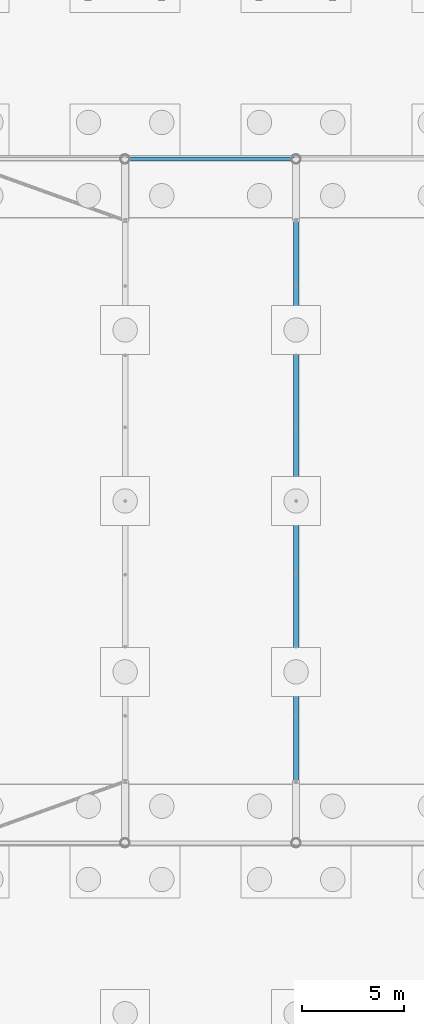
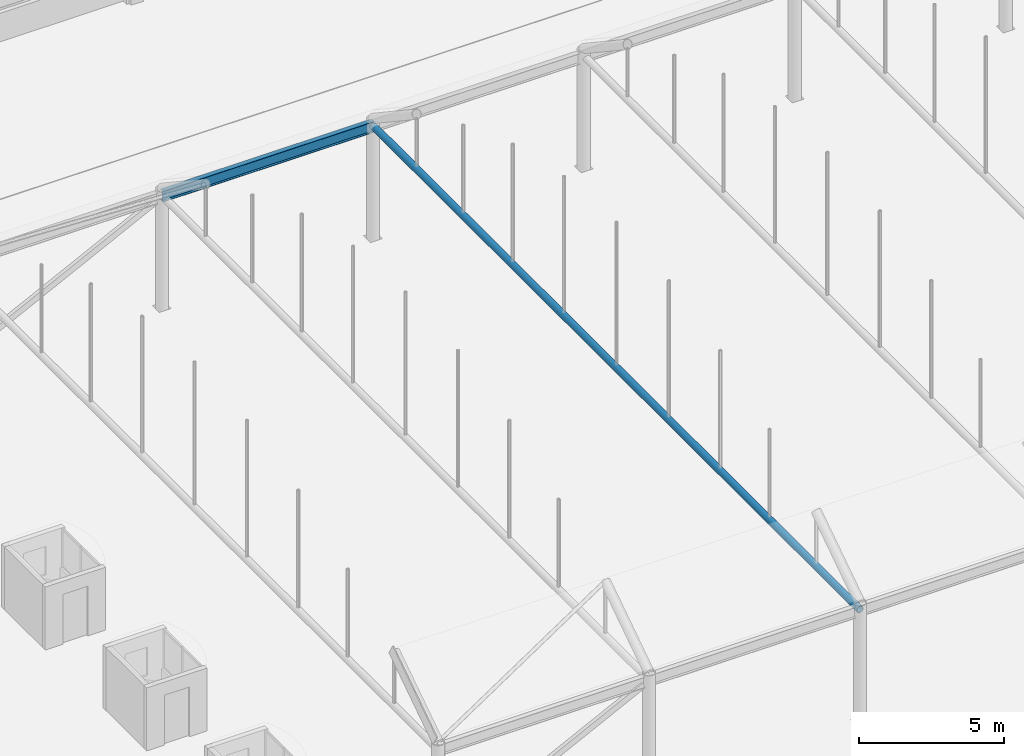
# One storey, part 49 of 212: 2 beams.
"""IFC4 building model written with IfcOpenShell, lengths in metres."""

from ifc_helpers import new_model, si_unit, direction, frame, origin, origin_2d, place, context, subcontext, project, spatial, hollow_circle, i_section, extrude, material, material_profile, profile_set, type_object, element, save


model = new_model("IFC4")

# Units and contexts
model_context = context("Model", 3, precision=1e-05, world=origin(), true_north=direction((0.0, 1.0)))
body_context = subcontext(model_context, "Body", "Model", "MODEL_VIEW")
ifc_project = project(units=[si_unit("LENGTHUNIT", "METRE"), si_unit("AREAUNIT", "SQUARE_METRE"), si_unit("VOLUMEUNIT", "CUBIC_METRE"), si_unit("PLANEANGLEUNIT", "RADIAN"), si_unit("MASSUNIT", "GRAM", prefix="KILO")], contexts=[model_context])

# Site, building, storey
site_placement = place(None, origin())
site = spatial("IfcSite", under=ifc_project, at=site_placement, CompositionType="ELEMENT")
building_placement = place(site_placement, origin())
building = spatial("IfcBuilding", under=site, at=building_placement, Name="Catenary Quay Ferry Terminal", CompositionType="ELEMENT")
storey_placement = place(building_placement, origin())
storey = spatial("IfcBuildingStorey", under=building, at=storey_placement, Name="L00", CompositionType="ELEMENT", Elevation=0.0)

# Beams
ifc_material_1 = material(Name="Steel S355", Category="steel")
ifc_material_profile_1 = material_profile(ifc_material_1, i_section(OverallWidth=0.18994140625, OverallDepth=0.453369140625, WebThickness=0.008544921875, FlangeThickness=0.0126953125, at=origin_2d()), Name="UB 457x191x67")
ifc_profile_set_1 = profile_set([ifc_material_profile_1], Name="Steel S355")
beam_type_1 = type_object("IfcBeamType", Name="B1 UB 457x191x67", PredefinedType="BEAM", material=ifc_profile_set_1)
beam_1_placement = place(storey_placement, frame((25.199951171875, 50.39990234375, 4.699951171875), z_axis=(1.0, 0.0, 0.0), x_axis=(0.0, 1.0, 0.0)))
element("IfcBeam", 1, at=beam_1_placement, inside=storey, type_object=beam_type_1, Name="Eaves beam B-CA7-2", PredefinedType="BEAM", context=body_context, shape_type="SweptSolid", body=[
    extrude(i_section(OverallWidth=0.18994140625, OverallDepth=0.453369140625, WebThickness=0.008544921875, FlangeThickness=0.0126953125, at=origin_2d()), origin(), (0.0, 0.0, 1.0), 8.400146484375),
])
ifc_material_2 = material(Name="Steel S355", Category="steel")
ifc_material_profile_2 = material_profile(ifc_material_2, hollow_circle(Radius=0.136474609375, WallThickness=0.012451171875, at=origin_2d()), Name="CHS 273x12.5")
ifc_profile_set_2 = profile_set([ifc_material_profile_2], Name="Steel S355")
beam_type_2 = type_object("IfcBeamType", Name="TB1 CHS 273x12.5", PredefinedType="BEAM", material=ifc_profile_set_2)
beam_2_placement = place(storey_placement, frame((33.60009765625, 16.800048828125, 4.699951171875), z_axis=(0.0, 1.0, 0.0), x_axis=(-1.0, 0.0, 0.0)))
element("IfcBeam", 2, at=beam_2_placement, inside=storey, type_object=beam_type_2, Name="tie beam CA-03", PredefinedType="BEAM", context=body_context, shape_type="SweptSolid", body=[
    extrude(hollow_circle(Radius=0.136474609375, WallThickness=0.012451171875, at=origin_2d()), origin(), (0.0, 0.0, 1.0), 33.599853515625),
])

save(model, "model.ifc")
